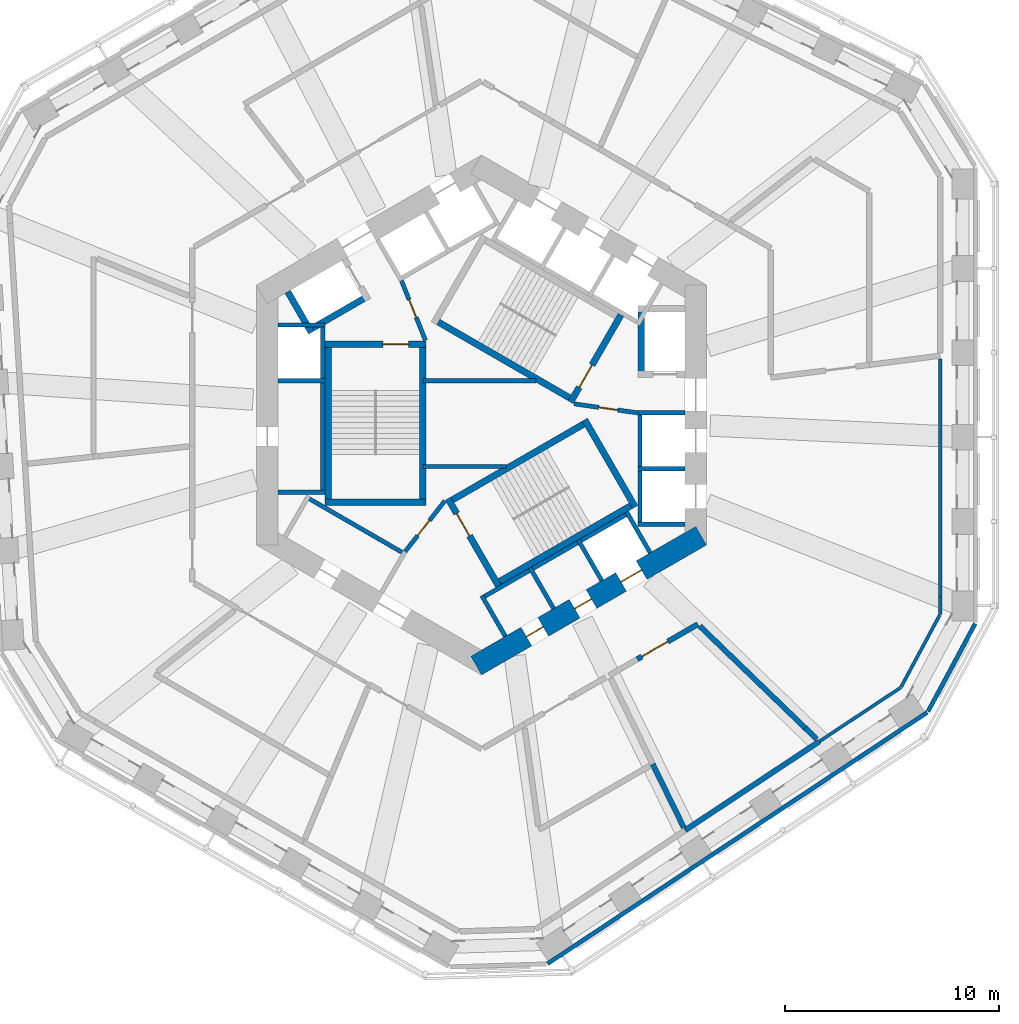
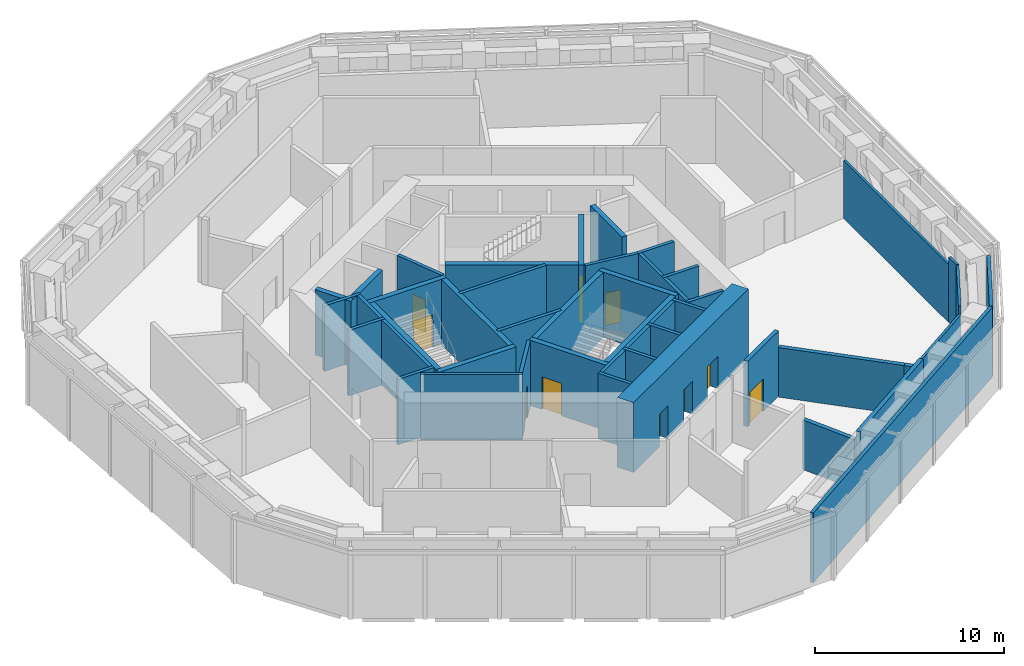
# One storey, part 6 of 15: 44 walls, 10 doors, 10 openings.
"""IFC4 building model written with IfcOpenShell, lengths in metres."""

from ifc_helpers import new_model, si_unit, direction, frame, frame_2d, origin, place, context, subcontext, project, spatial, rectangle, extrude, material, layer, layer_set, type_object, element, fill, save


model = new_model("IFC4")

# Units and contexts
model_context = context("Model", 3, precision=1e-05, world=origin(), true_north=direction((0.0, 1.0)))
body_context = subcontext(model_context, "Body", "Model", "MODEL_VIEW")
ifc_project = project(units=[si_unit("LENGTHUNIT", "METRE"), si_unit("AREAUNIT", "SQUARE_METRE"), si_unit("VOLUMEUNIT", "CUBIC_METRE"), si_unit("PLANEANGLEUNIT", "RADIAN"), si_unit("MASSUNIT", "GRAM", prefix="KILO")], contexts=[model_context])

# Site, building, storey
site_placement = place(None, origin())
site = spatial("IfcSite", under=ifc_project, at=site_placement, CompositionType="ELEMENT")
building_placement = place(site_placement, origin())
building = spatial("IfcBuilding", under=site, at=building_placement, Name="Vanh Sen Convention Tower", CompositionType="ELEMENT")
storey_placement = place(building_placement, frame((0.0, 0.0, 119.89990234375)))
storey = spatial("IfcBuildingStorey", under=building, at=storey_placement, Name="L29", CompositionType="ELEMENT", Elevation=119.89990234375)

# Walls
ifc_material_1 = material(Name="Concrete C40/50", Category="concrete")
ifc_layer_1 = layer(ifc_material_1, 0.25)
ifc_layer_set_1 = layer_set([ifc_layer_1], Name="Concrete C40/50")
wall_type_1 = type_object("IfcWallType", Name="Concrete wall 250 EI 180", PredefinedType="SOLIDWALL", material=ifc_layer_set_1)
wall_1_placement = place(storey_placement, frame((9.44091796875, -19.247802734375, 0.0), z_axis=(0.0, 0.0, 1.0), x_axis=(-0.440358551841, 0.89782200119, 0.0)))
element("IfcWall", 1, at=wall_1_placement, inside=storey, type_object=wall_type_1, Name="Fire-resisting wall L29-007", PredefinedType="SOLIDWALL", context=body_context, shape_type="SweptSolid", body=[
    extrude(rectangle(XDim=3.297119140625, YDim=0.25, at=frame_2d((1.6484375, 0.0))), origin(), (0.0, 0.0, 1.0), 3.2001953125),
])
wall_2_placement = place(storey_placement, frame((15.757568359375, -15.23291015625, 0.0), z_axis=(0.0, 0.0, 1.0), x_axis=(-0.83385397802, -0.551985093403, 0.0)))
element("IfcWall", 2, at=wall_2_placement, inside=storey, type_object=wall_type_1, Name="Fire-resisting wall L29-015", PredefinedType="SOLIDWALL", context=body_context, shape_type="SweptSolid", body=[
    extrude(rectangle(XDim=7.4990234375, YDim=0.25, at=frame_2d((3.74951171875, 0.0))), origin(), (0.0, 0.0, 1.0), 3.72021484375),
])
wall_3_placement = place(storey_placement, frame((15.1005859375, -14.597900390625, 0.0), z_axis=(0.0, 0.0, 1.0), x_axis=(0.718831874795, -0.695183958229, 0.0)))
element("IfcWall", 3, at=wall_3_placement, inside=storey, type_object=wall_type_1, Name="Fire-resisting wall L29-017", PredefinedType="SOLIDWALL", context=body_context, shape_type="SweptSolid", body=[
    extrude(rectangle(XDim=0.753662109375, YDim=0.25, at=frame_2d((0.376953125, 0.0))), origin(), (0.0, 0.0, 1.0), 3.2001953125),
])
wall_4_placement = place(storey_placement, frame((15.1005859375, -14.597900390625, 0.0), z_axis=(0.0, 0.0, 1.0), x_axis=(-0.718943789633, 0.695068217766, 0.0)))
element("IfcWall", 4, at=wall_4_placement, inside=storey, type_object=wall_type_1, Name="Fire-resisting wall L29-018", PredefinedType="SOLIDWALL", context=body_context, shape_type="SweptSolid", body=[
    extrude(rectangle(XDim=6.8408203125, YDim=0.25, at=frame_2d((3.42041015625, 0.0))), origin(), (0.0, 0.0, 1.0), 3.2001953125),
])

# Wall, opening, door
wall_5_placement = place(storey_placement, frame((7.269287109375, -11.391357421875, 0.0), z_axis=(0.0, 0.0, 1.0), x_axis=(0.866043587326, 0.49996850386, 0.0)))
wall_5 = element("IfcWall", 5, at=wall_5_placement, inside=storey, type_object=wall_type_1, Name="Fire-resisting wall L29-028", PredefinedType="SOLIDWALL", context=body_context, shape_type="SweptSolid", body=[
    extrude(rectangle(XDim=3.263916015625, YDim=0.25, at=frame_2d((1.6318359375, 0.0))), origin(), (0.0, 0.0, 1.0), 4.22021484375),
])
opening_1_placement = place(wall_5_placement, frame((0.25, 0.0, 0.0)))
opening_1 = element("IfcOpeningElement", 6, at=opening_1_placement, cuts=wall_5, Name="Opening D29103", PredefinedType="OPENING", context=body_context, shape_type="SweptSolid", body=[
    extrude(rectangle(XDim=1.39990234375, YDim=2.10009765625, at=frame_2d((0.699951171875, 1.050048828125))), frame((0.0, 0.135009765625, 0.0), z_axis=(0.0, -1.0, 0.0), x_axis=(1.0, 0.0, 0.0)), (0.0, 0.0, 1.0), 0.27001953125),
])
ifc_material_2 = material(Name="Steel S355", Category="steel")
door_type_1 = type_object("IfcDoorType", Name="Service door 1400 EI 60", OperationType="SINGLE_SWING_LEFT", PredefinedType="DOOR", material=ifc_material_2)
door_1_placement = place(opening_1_placement, origin())
door_1 = element("IfcDoor", 7, at=door_1_placement, inside=storey, type_object=door_type_1, Name="Service door D29103", OperationType="SINGLE_SWING_LEFT", OverallHeight=2.10009765625, OverallWidth=1.39990234375, PredefinedType="DOOR", context=body_context, shape_type="SweptSolid", body=[
    extrude(rectangle(XDim=1.39990234375, YDim=2.10009765625, at=frame_2d((0.699951171875, 1.050048828125))), frame((0.0, 0.02490234375, 0.0), z_axis=(0.0, -1.0, 0.0), x_axis=(1.0, 0.0, 0.0)), (0.0, 0.0, 1.0), 0.050048828125),
])
fill(opening_1, door_1)

# Wall, openings, doors
ifc_material_3 = material(Name="Concrete C80/95", Category="concrete")
ifc_layer_2 = layer(ifc_material_3, 1.0)
ifc_layer_set_2 = layer_set([ifc_layer_2], Name="Concrete C80/95")
wall_type_2 = type_object("IfcWallType", Name="Core outer wall 1000 C80/95", PredefinedType="SHEAR", material=ifc_layer_set_2)
wall_6_placement = place(storey_placement, frame((-0.25, -11.69140625, 0.0), z_axis=(0.0, 0.0, 1.0), x_axis=(0.866022616891, 0.50000482701, 0.0)))
wall_6 = element("IfcWall", 8, at=wall_6_placement, inside=storey, type_object=wall_type_2, Name="Core wall face SE L29", PredefinedType="SHEAR", context=body_context, shape_type="SweptSolid", body=[
    extrude(rectangle(XDim=12.12451171875, YDim=1.0, at=frame_2d((6.062255859375, 0.0))), origin(), (0.0, 0.0, 1.0), 4.5),
])
opening_2_placement = place(wall_6_placement, frame((2.712158203125, 0.0, 0.0)))
opening_2 = element("IfcOpeningElement", 9, at=opening_2_placement, cuts=wall_6, Name="Opening D29012", PredefinedType="OPENING", context=body_context, shape_type="SweptSolid", body=[
    extrude(rectangle(XDim=0.89990234375, YDim=2.10009765625, at=frame_2d((0.449951171875, 1.050048828125))), frame((0.0, 0.510009765625, 0.0), z_axis=(0.0, -1.0, 0.0), x_axis=(1.0, 0.0, 0.0)), (0.0, 0.0, 1.0), 1.02001953125),
])
opening_3_placement = place(wall_6_placement, frame((5.312255859375, 0.0, 0.0)))
opening_3 = element("IfcOpeningElement", 10, at=opening_3_placement, cuts=wall_6, Name="Opening D29013", PredefinedType="OPENING", context=body_context, shape_type="SweptSolid", body=[
    extrude(rectangle(XDim=0.89990234375, YDim=2.10009765625, at=frame_2d((0.449951171875, 1.050048828125))), frame((0.0, 0.510009765625, 0.0), z_axis=(0.0, -1.0, 0.0), x_axis=(1.0, 0.0, 0.0)), (0.0, 0.0, 1.0), 1.02001953125),
])
opening_4_placement = place(wall_6_placement, frame((7.812255859375, 0.0, 0.0)))
opening_4 = element("IfcOpeningElement", 11, at=opening_4_placement, cuts=wall_6, Name="Opening LD-SV1", PredefinedType="OPENING", context=body_context, shape_type="SweptSolid", body=[
    extrude(rectangle(XDim=1.10009765625, YDim=2.10009765625, at=frame_2d((0.550048828125, 1.050048828125))), frame((0.0, 0.510009765625, 0.0), z_axis=(0.0, -1.0, 0.0), x_axis=(1.0, 0.0, 0.0)), (0.0, 0.0, 1.0), 1.02001953125),
])
ifc_material_4 = material(Name="Stainless steel", Category="steel")
door_type_2 = type_object("IfcDoorType", Name="Lift landing door 1100", OperationType="DOUBLE_DOOR_SLIDING", PredefinedType="DOOR", material=ifc_material_4)
door_2_placement = place(opening_4_placement, origin())
door_2 = element("IfcDoor", 12, at=door_2_placement, inside=storey, type_object=door_type_2, Name="Lift SV1 landing door LD-SV1", OperationType="DOUBLE_DOOR_SLIDING", OverallHeight=2.10009765625, OverallWidth=1.10009765625, PredefinedType="DOOR", context=body_context, shape_type="SweptSolid", body=[
    extrude(rectangle(XDim=1.10009765625, YDim=2.10009765625, at=frame_2d((0.550048828125, 1.050048828125))), frame((0.0, 0.02490234375, 0.0), z_axis=(0.0, -1.0, 0.0), x_axis=(1.0, 0.0, 0.0)), (0.0, 0.0, 1.0), 0.050048828125),
])
fill(opening_4, door_2)
ifc_material_5 = material(Name="Steel S355", Category="steel")
door_type_3 = type_object("IfcDoorType", Name="Plant door 900", OperationType="SINGLE_SWING_LEFT", PredefinedType="DOOR", material=ifc_material_5)
door_3_placement = place(opening_2_placement, origin())
door_3 = element("IfcDoor", 13, at=door_3_placement, inside=storey, type_object=door_type_3, Name="Plant door D29012", OperationType="SINGLE_SWING_LEFT", OverallHeight=2.10009765625, OverallWidth=0.89990234375, PredefinedType="DOOR", context=body_context, shape_type="SweptSolid", body=[
    extrude(rectangle(XDim=0.89990234375, YDim=2.10009765625, at=frame_2d((0.449951171875, 1.050048828125))), frame((0.0, 0.02490234375, 0.0), z_axis=(0.0, -1.0, 0.0), x_axis=(1.0, 0.0, 0.0)), (0.0, 0.0, 1.0), 0.050048828125),
])
fill(opening_2, door_3)
door_4_placement = place(opening_3_placement, origin())
door_4 = element("IfcDoor", 14, at=door_4_placement, inside=storey, type_object=door_type_3, Name="Plant door D29013", OperationType="SINGLE_SWING_LEFT", OverallHeight=2.10009765625, OverallWidth=0.89990234375, PredefinedType="DOOR", context=body_context, shape_type="SweptSolid", body=[
    extrude(rectangle(XDim=0.89990234375, YDim=2.10009765625, at=frame_2d((0.449951171875, 1.050048828125))), frame((0.0, 0.02490234375, 0.0), z_axis=(0.0, -1.0, 0.0), x_axis=(1.0, 0.0, 0.0)), (0.0, 0.0, 1.0), 0.050048828125),
])
fill(opening_3, door_4)

# Walls
ifc_material_6 = material(Name="Masonry blockwork", Category="masonry")
ifc_layer_3 = layer(ifc_material_6, 0.199951171875)
ifc_layer_set_3 = layer_set([ifc_layer_3], Name="Masonry blockwork")
wall_type_3 = type_object("IfcWallType", Name="Core partition 200", PredefinedType="PARTITIONING", material=ifc_layer_set_3)
wall_7_placement = place(storey_placement, frame((-2.719970703125, -2.39990234375, 0.0), z_axis=(0.0, 0.0, 1.0), x_axis=(1.0, 0.0, 0.0)))
element("IfcWall", 15, at=wall_7_placement, inside=storey, type_object=wall_type_3, Name="Core partition L29", PredefinedType="PARTITIONING", context=body_context, shape_type="SweptSolid", body=[
    extrude(rectangle(XDim=3.883056640625, YDim=0.199951171875, at=frame_2d((1.94140625, 0.0))), origin(), (0.0, 0.0, 1.0), 4.22021484375),
])
wall_8_placement = place(storey_placement, frame((-2.719970703125, 1.60009765625, 0.0), z_axis=(0.0, 0.0, 1.0), x_axis=(1.0, 0.0, 0.0)))
element("IfcWall", 16, at=wall_8_placement, inside=storey, type_object=wall_type_3, Name="Core partition L29", PredefinedType="PARTITIONING", context=body_context, shape_type="SweptSolid", body=[
    extrude(rectangle(XDim=5.2685546875, YDim=0.199951171875, at=frame_2d((2.63427734375, 0.0))), origin(), (0.0, 0.0, 1.0), 4.22021484375),
])
ifc_material_7 = material(Name="Insulated lightweight infill wall")
ifc_layer_4 = layer(ifc_material_7, 0.199951171875)
ifc_layer_set_4 = layer_set([ifc_layer_4], Name="Insulated lightweight infill wall")
wall_type_4 = type_object("IfcWallType", Name="External wall 200", PredefinedType="STANDARD", material=ifc_layer_set_4)
wall_9_placement = place(storey_placement, frame((3.0830078125, -25.60107421875, 0.0), z_axis=(0.0, 0.0, 1.0), x_axis=(0.833884295743, 0.551939291329, 0.0)))
element("IfcWall", 17, at=wall_9_placement, inside=storey, type_object=wall_type_4, Name="External wall SE L29", PredefinedType="STANDARD", context=body_context, shape_type="SweptSolid", body=[
    extrude(rectangle(XDim=21.24609375, YDim=0.199951171875, at=frame_2d((10.623046875, 0.0))), origin(), (0.0, 0.0, 1.0), 4.5),
])
wall_10_placement = place(storey_placement, frame((20.83251953125, -13.838623046875, 0.0), z_axis=(0.0, 0.0, 1.0), x_axis=(0.473321668581, 0.880889662813, 0.0)))
element("IfcWall", 18, at=wall_10_placement, inside=storey, type_object=wall_type_4, Name="External wall CH6 L29", PredefinedType="STANDARD", context=body_context, shape_type="SweptSolid", body=[
    extrude(rectangle(XDim=4.65966796875, YDim=0.199951171875, at=frame_2d((2.329833984375, 0.0))), origin(), (0.0, 0.0, 1.0), 4.5),
])
ifc_material_8 = material(Name="Concrete C60/75", Category="concrete")
ifc_layer_5 = layer(ifc_material_8, 0.300048828125)
ifc_layer_set_5 = layer_set([ifc_layer_5], Name="Concrete C60/75")
wall_type_5 = type_object("IfcWallType", Name="Fire-fighting lift shaft wall 300", PredefinedType="SHEAR", material=ifc_layer_set_5)
wall_11_placement = place(storey_placement, frame((7.449951171875, 1.75, 0.0), z_axis=(0.0, 0.0, 1.0), x_axis=(0.0, 1.0, 0.0)))
element("IfcWall", 19, at=wall_11_placement, inside=storey, type_object=wall_type_5, Name="Fire-fighting lift shaft wall L29", PredefinedType="SHEAR", context=body_context, shape_type="SweptSolid", body=[
    extrude(rectangle(XDim=3.35009765625, YDim=0.300048828125, at=frame_2d((1.675048828125, 0.0))), origin(), (0.0, 0.0, 1.0), 4.22021484375),
])
wall_12_placement = place(storey_placement, frame((-5.240478515625, 5.576904296875, 0.0), z_axis=(0.0, 0.0, 1.0), x_axis=(-0.866014461049, -0.500018952895, 0.0)))
element("IfcWall", 20, at=wall_12_placement, inside=storey, type_object=wall_type_5, Name="Fire-fighting lift shaft wall L29", PredefinedType="SHEAR", context=body_context, shape_type="SweptSolid", body=[
    extrude(rectangle(XDim=3.349853515625, YDim=0.300048828125, at=frame_2d((1.6748046875, 0.0))), origin(), (0.0, 0.0, 1.0), 4.22021484375),
])
wall_13_placement = place(storey_placement, frame((-7.936767578125, 3.846923828125, 0.0), z_axis=(0.0, 0.0, 1.0), x_axis=(-0.50002983664, 0.866008176907, 0.0)))
element("IfcWall", 21, at=wall_13_placement, inside=storey, type_object=wall_type_5, Name="Fire-fighting lift shaft wall L29", PredefinedType="SHEAR", context=body_context, shape_type="SweptSolid", body=[
    extrude(rectangle(XDim=2.199951171875, YDim=0.300048828125, at=frame_2d((1.10009765625, 0.0))), origin(), (0.0, 0.0, 1.0), 4.22021484375),
])
ifc_layer_6 = layer(ifc_material_1, 0.199951171875)
ifc_layer_set_6 = layer_set([ifc_layer_6], Name="Concrete C40/50")
wall_type_6 = type_object("IfcWallType", Name="Lift shaft wall 200", PredefinedType="PARTITIONING", material=ifc_layer_set_6)
wall_14_placement = place(storey_placement, frame((7.39990234375, -5.199951171875, 0.0), z_axis=(0.0, 0.0, 1.0), x_axis=(0.0, 1.0, 0.0)))
element("IfcWall", 22, at=wall_14_placement, inside=storey, type_object=wall_type_6, Name="Lift shaft wall L29", PredefinedType="PARTITIONING", context=body_context, shape_type="SweptSolid", body=[
    extrude(rectangle(XDim=5.39990234375, YDim=0.199951171875, at=frame_2d((2.699951171875, 0.0))), origin(), (0.0, 0.0, 1.0), 4.22021484375),
])
for number, where, z_axis, x_axis, name in (
    (23, (7.300048828125, -5.10009765625, 0.0), (0.0, 0.0, 1.0), (1.0, 0.0, 0.0), "Lift shaft wall L29"),
    (24, (7.300048828125, -2.5, 0.0), (0.0, 0.0, 1.0), (1.0, 0.0, 0.0), "Lift shaft wall L29"),
    (25, (7.300048828125, 0.10009765625, 0.0), (0.0, 0.0, 1.0), (1.0, 0.0, 0.0), "Lift shaft wall L29"),
):
    element("IfcWall", number, at=place(storey_placement, frame(where, z_axis=z_axis, x_axis=x_axis)), inside=storey, type_object=wall_type_6, Name=name, PredefinedType="PARTITIONING", context=body_context, shape_type="SweptSolid", body=[
        extrude(rectangle(XDim=2.199951171875, YDim=0.199951171875, at=frame_2d((1.10009765625, 0.0))), origin(), (0.0, 0.0, 1.0), 4.22021484375),
    ])
wall_15_placement = place(storey_placement, frame((-7.39990234375, 4.300048828125, 0.0), z_axis=(0.0, 0.0, 1.0), x_axis=(0.0, -1.0, 0.0)))
element("IfcWall", 26, at=wall_15_placement, inside=storey, type_object=wall_type_6, Name="Lift shaft wall L29", PredefinedType="PARTITIONING", context=body_context, shape_type="SweptSolid", body=[
    extrude(rectangle(XDim=8.0, YDim=0.199951171875, at=frame_2d((4.0, 0.0))), origin(), (0.0, 0.0, 1.0), 4.22021484375),
])
for number, where, z_axis, x_axis, name in (
    (27, (-7.300048828125, 4.199951171875, 0.0), (0.0, 0.0, 1.0), (-1.0, 0.0, 0.0), "Lift shaft wall L29"),
    (28, (-7.300048828125, 1.60009765625, 0.0), (0.0, 0.0, 1.0), (-1.0, 0.0, 0.0), "Lift shaft wall L29"),
    (29, (-7.300048828125, -3.60009765625, 0.0), (0.0, 0.0, 1.0), (-1.0, 0.0, 0.0), "Lift shaft wall L29"),
):
    element("IfcWall", number, at=place(storey_placement, frame(where, z_axis=z_axis, x_axis=x_axis)), inside=storey, type_object=wall_type_6, Name=name, PredefinedType="PARTITIONING", context=body_context, shape_type="SweptSolid", body=[
        extrude(rectangle(XDim=2.199951171875, YDim=0.199951171875, at=frame_2d((1.10009765625, 0.0))), origin(), (0.0, 0.0, 1.0), 4.22021484375),
    ])
wall_16_placement = place(storey_placement, frame((-8.203369140625, -3.80859375, 0.0), z_axis=(0.0, 0.0, 1.0), x_axis=(0.866028230842, -0.499995103361, 0.0)))
element("IfcWall", 30, at=wall_16_placement, inside=storey, type_object=wall_type_6, Name="Lift shaft wall L29", PredefinedType="PARTITIONING", context=body_context, shape_type="SweptSolid", body=[
    extrude(rectangle(XDim=5.39990234375, YDim=0.199951171875, at=frame_2d((2.699951171875, 0.0))), origin(), (0.0, 0.0, 1.0), 4.22021484375),
])
wall_17_placement = place(storey_placement, frame((-0.02392578125, -8.55859375, 0.0), z_axis=(0.0, 0.0, 1.0), x_axis=(0.866026010844, 0.49999894854, 0.0)))
element("IfcWall", 31, at=wall_17_placement, inside=storey, type_object=wall_type_6, Name="Lift shaft wall L29", PredefinedType="PARTITIONING", context=body_context, shape_type="SweptSolid", body=[
    extrude(rectangle(XDim=8.0, YDim=0.199951171875, at=frame_2d((4.0, 0.0))), origin(), (0.0, 0.0, 1.0), 4.22021484375),
])
for number, where, z_axis, x_axis, name in (
    (32, (0.0126953125, -8.422119140625, 0.0), (0.0, 0.0, 1.0), (0.500077893725, -0.86598042715, 0.0), "Lift shaft wall L29"),
    (33, (2.264404296875, -7.1220703125, 0.0), (0.0, 0.0, 1.0), (0.500077893725, -0.86598042715, 0.0), "Lift shaft wall L29"),
    (34, (4.51611328125, -5.822021484375, 0.0), (0.0, 0.0, 1.0), (0.499946605688, -0.86605622881, 0.0), "Lift shaft wall L29"),
    (35, (6.767578125, -4.52197265625, 0.0), (0.0, 0.0, 1.0), (0.50002983664, -0.866008176907, 0.0), "Lift shaft wall L29"),
):
    element("IfcWall", number, at=place(storey_placement, frame(where, z_axis=z_axis, x_axis=x_axis)), inside=storey, type_object=wall_type_6, Name=name, PredefinedType="PARTITIONING", context=body_context, shape_type="SweptSolid", body=[
        extrude(rectangle(XDim=2.199951171875, YDim=0.199951171875, at=frame_2d((1.10009765625, 0.0))), origin(), (0.0, 0.0, 1.0), 4.22021484375),
    ])
ifc_material_9 = material(Name="Gypsum board on steel studs", Category="steel")
ifc_layer_7 = layer(ifc_material_9, 0.14990234375)
ifc_layer_set_7 = layer_set([ifc_layer_7], Name="Gypsum board on steel studs")
wall_type_7 = type_object("IfcWallType", Name="Partition 150", PredefinedType="PARTITIONING", material=ifc_layer_set_7)
wall_18_placement = place(storey_placement, frame((19.5634765625, -12.714111328125, 0.0), z_axis=(0.0, 0.0, 1.0), x_axis=(-0.833913741114, -0.551894801916, 0.0)))
element("IfcWall", 36, at=wall_18_placement, inside=storey, type_object=wall_type_7, Name="Partition L29-022", PredefinedType="PARTITIONING", context=body_context, shape_type="SweptSolid", body=[
    extrude(rectangle(XDim=4.56396484375, YDim=0.14990234375, at=frame_2d((2.281982421875, 0.0))), origin(), (0.0, 0.0, 1.0), 3.72021484375),
])
wall_19_placement = place(storey_placement, frame((21.381103515625, -9.331787109375, 0.0), z_axis=(0.0, 0.0, 1.0), x_axis=(-0.473363971323, -0.880866931297, 0.0)))
element("IfcWall", 37, at=wall_19_placement, inside=storey, type_object=wall_type_7, Name="Partition L29-031", PredefinedType="PARTITIONING", context=body_context, shape_type="SweptSolid", body=[
    extrude(rectangle(XDim=3.799560546875, YDim=0.14990234375, at=frame_2d((1.89990234375, 0.0))), origin(), (0.0, 0.0, 1.0), 4.22021484375),
])
wall_20_placement = place(storey_placement, frame((21.39990234375, -8.48291015625, 0.0), z_axis=(0.0, 0.0, 1.0), x_axis=(0.0, -1.0, 0.0)))
element("IfcWall", 38, at=wall_20_placement, inside=storey, type_object=wall_type_7, Name="Partition L29-032", PredefinedType="PARTITIONING", context=body_context, shape_type="SweptSolid", body=[
    extrude(rectangle(XDim=0.8134765625, YDim=0.14990234375, at=frame_2d((0.40673828125, 0.0))), origin(), (0.0, 0.0, 1.0), 4.22021484375),
])
wall_21_placement = place(storey_placement, frame((21.39990234375, 2.6259765625, 0.0), z_axis=(0.0, 0.0, 1.0), x_axis=(0.0, -1.0, 0.0)))
element("IfcWall", 39, at=wall_21_placement, inside=storey, type_object=wall_type_7, Name="Partition L29-043", PredefinedType="PARTITIONING", context=body_context, shape_type="SweptSolid", body=[
    extrude(rectangle(XDim=11.10888671875, YDim=0.14990234375, at=frame_2d((5.554443359375, 0.0))), origin(), (0.0, 0.0, 1.0), 3.72021484375),
])

# Wall, opening, door
ifc_layer_8 = layer(ifc_material_1, 0.199951171875)
ifc_layer_set_8 = layer_set([ifc_layer_8], Name="Concrete C40/50")
wall_type_8 = type_object("IfcWallType", Name="Stair lobby wall 200", PredefinedType="PARTITIONING", material=ifc_layer_set_8)
wall_22_placement = place(storey_placement, frame((4.327392578125, 0.52099609375, 0.0), z_axis=(0.0, 0.0, 1.0), x_axis=(0.990124376366, -0.14019172346, 0.0)))
wall_22 = element("IfcWall", 40, at=wall_22_placement, inside=storey, type_object=wall_type_8, Name="Stair lobby wall L29", PredefinedType="PARTITIONING", context=body_context, shape_type="SweptSolid", body=[
    extrude(rectangle(XDim=3.002197265625, YDim=0.199951171875, at=frame_2d((1.5009765625, 0.0))), origin(), (0.0, 0.0, 1.0), 4.22021484375),
])
opening_5_placement = place(wall_22_placement, frame((1.14990234375, 0.0, 0.0)))
opening_5 = element("IfcOpeningElement", 41, at=opening_5_placement, cuts=wall_22, Name="Opening D29007", PredefinedType="OPENING", context=body_context, shape_type="SweptSolid", body=[
    extrude(rectangle(XDim=0.89990234375, YDim=2.10009765625, at=frame_2d((0.449951171875, 1.050048828125))), frame((0.0, 0.10986328125, 0.0), z_axis=(0.0, -1.0, 0.0), x_axis=(1.0, 0.0, 0.0)), (0.0, 0.0, 1.0), 0.219970703125),
])
door_5_placement = place(opening_5_placement, origin())
door_5 = element("IfcDoor", 42, at=door_5_placement, inside=storey, type_object=door_type_3, Name="Plant door D29007", OperationType="SINGLE_SWING_LEFT", OverallHeight=2.10009765625, OverallWidth=0.89990234375, PredefinedType="DOOR", context=body_context, shape_type="SweptSolid", body=[
    extrude(rectangle(XDim=0.89990234375, YDim=2.10009765625, at=frame_2d((0.449951171875, 1.050048828125))), frame((0.0, 0.02490234375, 0.0), z_axis=(0.0, -1.0, 0.0), x_axis=(1.0, 0.0, 0.0)), (0.0, 0.0, 1.0), 0.050048828125),
])
fill(opening_5, door_5)

wall_23_placement = place(storey_placement, frame((-2.614990234375, 3.487060546875, 0.0), z_axis=(0.0, 0.0, 1.0), x_axis=(-0.373576831041, 0.92759924068, 0.0)))
wall_23 = element("IfcWall", 43, at=wall_23_placement, inside=storey, type_object=wall_type_8, Name="Stair lobby wall L29", PredefinedType="PARTITIONING", context=body_context, shape_type="SweptSolid", body=[
    extrude(rectangle(XDim=3.002197265625, YDim=0.199951171875, at=frame_2d((1.5009765625, 0.0))), origin(), (0.0, 0.0, 1.0), 4.22021484375),
])
opening_6_placement = place(wall_23_placement, frame((1.14990234375, 0.0, 0.0)))
opening_6 = element("IfcOpeningElement", 44, at=opening_6_placement, cuts=wall_23, Name="Opening D29008", PredefinedType="OPENING", context=body_context, shape_type="SweptSolid", body=[
    extrude(rectangle(XDim=0.89990234375, YDim=2.10009765625, at=frame_2d((0.449951171875, 1.050048828125))), frame((0.0, 0.10986328125, 0.0), z_axis=(0.0, -1.0, 0.0), x_axis=(1.0, 0.0, 0.0)), (0.0, 0.0, 1.0), 0.219970703125),
])
door_6_placement = place(opening_6_placement, origin())
door_6 = element("IfcDoor", 45, at=door_6_placement, inside=storey, type_object=door_type_3, Name="Plant door D29008", OperationType="SINGLE_SWING_LEFT", OverallHeight=2.10009765625, OverallWidth=0.89990234375, PredefinedType="DOOR", context=body_context, shape_type="SweptSolid", body=[
    extrude(rectangle(XDim=0.89990234375, YDim=2.10009765625, at=frame_2d((0.449951171875, 1.050048828125))), frame((0.0, 0.02490234375, 0.0), z_axis=(0.0, -1.0, 0.0), x_axis=(1.0, 0.0, 0.0)), (0.0, 0.0, 1.0), 0.050048828125),
])
fill(opening_6, door_6)

wall_24_placement = place(storey_placement, frame((-1.71240234375, -4.00830078125, 0.0), z_axis=(0.0, 0.0, 1.0), x_axis=(-0.616549420702, -0.787316208287, 0.0)))
wall_24 = element("IfcWall", 46, at=wall_24_placement, inside=storey, type_object=wall_type_8, Name="Stair lobby wall L29", PredefinedType="PARTITIONING", context=body_context, shape_type="SweptSolid", body=[
    extrude(rectangle(XDim=3.002197265625, YDim=0.199951171875, at=frame_2d((1.5009765625, 0.0))), origin(), (0.0, 0.0, 1.0), 4.22021484375),
])
opening_7_placement = place(wall_24_placement, frame((1.14990234375, 0.0, 0.0)))
opening_7 = element("IfcOpeningElement", 47, at=opening_7_placement, cuts=wall_24, Name="Opening D29009", PredefinedType="OPENING", context=body_context, shape_type="SweptSolid", body=[
    extrude(rectangle(XDim=0.89990234375, YDim=2.10009765625, at=frame_2d((0.449951171875, 1.050048828125))), frame((0.0, 0.10986328125, 0.0), z_axis=(0.0, -1.0, 0.0), x_axis=(1.0, 0.0, 0.0)), (0.0, 0.0, 1.0), 0.219970703125),
])
door_7_placement = place(opening_7_placement, origin())
door_7 = element("IfcDoor", 48, at=door_7_placement, inside=storey, type_object=door_type_3, Name="Plant door D29009", OperationType="SINGLE_SWING_LEFT", OverallHeight=2.10009765625, OverallWidth=0.89990234375, PredefinedType="DOOR", context=body_context, shape_type="SweptSolid", body=[
    extrude(rectangle(XDim=0.89990234375, YDim=2.10009765625, at=frame_2d((0.449951171875, 1.050048828125))), frame((0.0, 0.02490234375, 0.0), z_axis=(0.0, -1.0, 0.0), x_axis=(1.0, 0.0, 0.0)), (0.0, 0.0, 1.0), 0.050048828125),
])
fill(opening_7, door_7)

ifc_layer_9 = layer(ifc_material_8, 0.300048828125)
ifc_layer_set_9 = layer_set([ifc_layer_9], Name="Concrete C60/75")
wall_type_9 = type_object("IfcWallType", Name="Stair wall 300", PredefinedType="SHEAR", material=ifc_layer_set_9)
wall_25_placement = place(storey_placement, frame((4.157958984375, 0.601806640625, 0.0), z_axis=(0.0, 0.0, 1.0), x_axis=(0.499977259774, 0.866038532462, 0.0)))
wall_25 = element("IfcWall", 49, at=wall_25_placement, inside=storey, type_object=wall_type_9, Name="Stair wall L29", PredefinedType="SHEAR", context=body_context, shape_type="SweptSolid", body=[
    extrude(rectangle(XDim=4.699951171875, YDim=0.300048828125, at=frame_2d((2.35009765625, 0.0))), origin(), (0.0, 0.0, 1.0), 4.22021484375),
])
opening_8_placement = place(wall_25_placement, frame((0.800048828125, 0.0, 0.0)))
opening_8 = element("IfcOpeningElement", 50, at=opening_8_placement, cuts=wall_25, Name="Opening D29004", PredefinedType="OPENING", context=body_context, shape_type="SweptSolid", body=[
    extrude(rectangle(XDim=1.199951171875, YDim=2.10009765625, at=frame_2d((0.60009765625, 1.050048828125))), frame((0.0, 0.159912109375, 0.0), z_axis=(0.0, -1.0, 0.0), x_axis=(1.0, 0.0, 0.0)), (0.0, 0.0, 1.0), 0.320068359375),
])
door_type_4 = type_object("IfcDoorType", Name="Stair door 1200", OperationType="SINGLE_SWING_RIGHT", PredefinedType="DOOR", material=ifc_material_5)
door_8_placement = place(opening_8_placement, origin())
door_8 = element("IfcDoor", 51, at=door_8_placement, inside=storey, type_object=door_type_4, Name="Stair ST1 door D29004", OperationType="SINGLE_SWING_RIGHT", OverallHeight=2.10009765625, OverallWidth=1.199951171875, PredefinedType="DOOR", context=body_context, shape_type="SweptSolid", body=[
    extrude(rectangle(XDim=1.199951171875, YDim=2.10009765625, at=frame_2d((0.60009765625, 1.050048828125))), frame((0.0, 0.02490234375, 0.0), z_axis=(0.0, -1.0, 0.0), x_axis=(1.0, 0.0, 0.0)), (0.0, 0.0, 1.0), 0.050048828125),
])
fill(opening_8, door_8)

# Wall
wall_26_placement = place(storey_placement, frame((4.10302734375, 0.806640625, 0.0), z_axis=(0.0, 0.0, 1.0), x_axis=(-0.866027801685, 0.499995846692, 0.0)))
element("IfcWall", 52, at=wall_26_placement, inside=storey, type_object=wall_type_9, Name="Stair wall L29", PredefinedType="SHEAR", context=body_context, shape_type="SweptSolid", body=[
    extrude(rectangle(XDim=7.06005859375, YDim=0.300048828125, at=frame_2d((3.530029296875, 0.0))), origin(), (0.0, 0.0, 1.0), 4.22021484375),
])

# Wall, opening, door
wall_27_placement = place(storey_placement, frame((-2.60009765625, 3.300048828125, 0.0), z_axis=(0.0, 0.0, 1.0), x_axis=(-1.0, 0.0, 0.0)))
wall_27 = element("IfcWall", 53, at=wall_27_placement, inside=storey, type_object=wall_type_9, Name="Stair wall L29", PredefinedType="SHEAR", context=body_context, shape_type="SweptSolid", body=[
    extrude(rectangle(XDim=4.699951171875, YDim=0.300048828125, at=frame_2d((2.35009765625, 0.0))), origin(), (0.0, 0.0, 1.0), 4.22021484375),
])
opening_9_placement = place(wall_27_placement, frame((0.800048828125, 0.0, 0.0)))
opening_9 = element("IfcOpeningElement", 54, at=opening_9_placement, cuts=wall_27, Name="Opening D29005", PredefinedType="OPENING", context=body_context, shape_type="SweptSolid", body=[
    extrude(rectangle(XDim=1.199951171875, YDim=2.10009765625, at=frame_2d((0.60009765625, 1.050048828125))), frame((0.0, 0.159912109375, 0.0), z_axis=(0.0, -1.0, 0.0), x_axis=(1.0, 0.0, 0.0)), (0.0, 0.0, 1.0), 0.320068359375),
])
door_9_placement = place(opening_9_placement, origin())
door_9 = element("IfcDoor", 55, at=door_9_placement, inside=storey, type_object=door_type_4, Name="Stair ST2 door D29005", OperationType="SINGLE_SWING_RIGHT", OverallHeight=2.10009765625, OverallWidth=1.199951171875, PredefinedType="DOOR", context=body_context, shape_type="SweptSolid", body=[
    extrude(rectangle(XDim=1.199951171875, YDim=2.10009765625, at=frame_2d((0.60009765625, 1.050048828125))), frame((0.0, 0.02490234375, 0.0), z_axis=(0.0, -1.0, 0.0), x_axis=(1.0, 0.0, 0.0)), (0.0, 0.0, 1.0), 0.050048828125),
])
fill(opening_9, door_9)

# Walls
wall_28_placement = place(storey_placement, frame((-2.60009765625, -4.06005859375, 0.0), z_axis=(0.0, 0.0, 1.0), x_axis=(-1.0, 0.0, 0.0)))
element("IfcWall", 56, at=wall_28_placement, inside=storey, type_object=wall_type_9, Name="Stair wall L29", PredefinedType="SHEAR", context=body_context, shape_type="SweptSolid", body=[
    extrude(rectangle(XDim=4.699951171875, YDim=0.300048828125, at=frame_2d((2.35009765625, 0.0))), origin(), (0.0, 0.0, 1.0), 4.22021484375),
])
for number, where, z_axis, x_axis, name in (
    (57, (-2.75, 3.14990234375, 0.0), (0.0, 0.0, 1.0), (0.0, -1.0, 0.0), "Stair wall L29"),
    (58, (-7.14990234375, 3.14990234375, 0.0), (0.0, 0.0, 1.0), (0.0, -1.0, 0.0), "Stair wall L29"),
):
    element("IfcWall", number, at=place(storey_placement, frame(where, z_axis=z_axis, x_axis=x_axis)), inside=storey, type_object=wall_type_9, Name=name, PredefinedType="SHEAR", context=body_context, shape_type="SweptSolid", body=[
        extrude(rectangle(XDim=7.059814453125, YDim=0.300048828125, at=frame_2d((3.52978515625, 0.0))), origin(), (0.0, 0.0, 1.0), 4.22021484375),
    ])

# Wall, opening, door
wall_29_placement = place(storey_placement, frame((-1.557861328125, -3.901611328125, 0.0), z_axis=(0.0, 0.0, 1.0), x_axis=(0.499977259774, -0.866038532462, 0.0)))
wall_29 = element("IfcWall", 59, at=wall_29_placement, inside=storey, type_object=wall_type_9, Name="Stair wall L29", PredefinedType="SHEAR", context=body_context, shape_type="SweptSolid", body=[
    extrude(rectangle(XDim=4.699951171875, YDim=0.300048828125, at=frame_2d((2.35009765625, 0.0))), origin(), (0.0, 0.0, 1.0), 4.22021484375),
])
opening_10_placement = place(wall_29_placement, frame((0.800048828125, 0.0, 0.0)))
opening_10 = element("IfcOpeningElement", 60, at=opening_10_placement, cuts=wall_29, Name="Opening D29006", PredefinedType="OPENING", context=body_context, shape_type="SweptSolid", body=[
    extrude(rectangle(XDim=1.199951171875, YDim=2.10009765625, at=frame_2d((0.60009765625, 1.050048828125))), frame((0.0, 0.159912109375, 0.0), z_axis=(0.0, -1.0, 0.0), x_axis=(1.0, 0.0, 0.0)), (0.0, 0.0, 1.0), 0.320068359375),
])
door_10_placement = place(opening_10_placement, origin())
door_10 = element("IfcDoor", 61, at=door_10_placement, inside=storey, type_object=door_type_4, Name="Stair ST3 door D29006", OperationType="SINGLE_SWING_RIGHT", OverallHeight=2.10009765625, OverallWidth=1.199951171875, PredefinedType="DOOR", context=body_context, shape_type="SweptSolid", body=[
    extrude(rectangle(XDim=1.199951171875, YDim=2.10009765625, at=frame_2d((0.60009765625, 1.050048828125))), frame((0.0, 0.02490234375, 0.0), z_axis=(0.0, -1.0, 0.0), x_axis=(1.0, 0.0, 0.0)), (0.0, 0.0, 1.0), 0.050048828125),
])
fill(opening_10, door_10)

# Walls
wall_30_placement = place(storey_placement, frame((4.816162109375, -0.2216796875, 0.0), z_axis=(0.0, 0.0, 1.0), x_axis=(0.499977259774, -0.866038532462, 0.0)))
element("IfcWall", 62, at=wall_30_placement, inside=storey, type_object=wall_type_9, Name="Stair wall L29", PredefinedType="SHEAR", context=body_context, shape_type="SweptSolid", body=[
    extrude(rectangle(XDim=4.699951171875, YDim=0.300048828125, at=frame_2d((2.35009765625, 0.0))), origin(), (0.0, 0.0, 1.0), 4.22021484375),
])
for number, where, z_axis, x_axis, name in (
    (63, (-1.35302734375, -3.95654296875, 0.0), (0.0, 0.0, 1.0), (0.866027801685, 0.499995846692, 0.0), "Stair wall L29"),
    (64, (0.846923828125, -7.76708984375, 0.0), (0.0, 0.0, 1.0), (0.866027801685, 0.499995846692, 0.0), "Stair wall L29"),
):
    element("IfcWall", number, at=place(storey_placement, frame(where, z_axis=z_axis, x_axis=x_axis)), inside=storey, type_object=wall_type_9, Name=name, PredefinedType="SHEAR", context=body_context, shape_type="SweptSolid", body=[
        extrude(rectangle(XDim=7.06005859375, YDim=0.300048828125, at=frame_2d((3.530029296875, 0.0))), origin(), (0.0, 0.0, 1.0), 4.22021484375),
    ])

save(model, "model.ifc")
